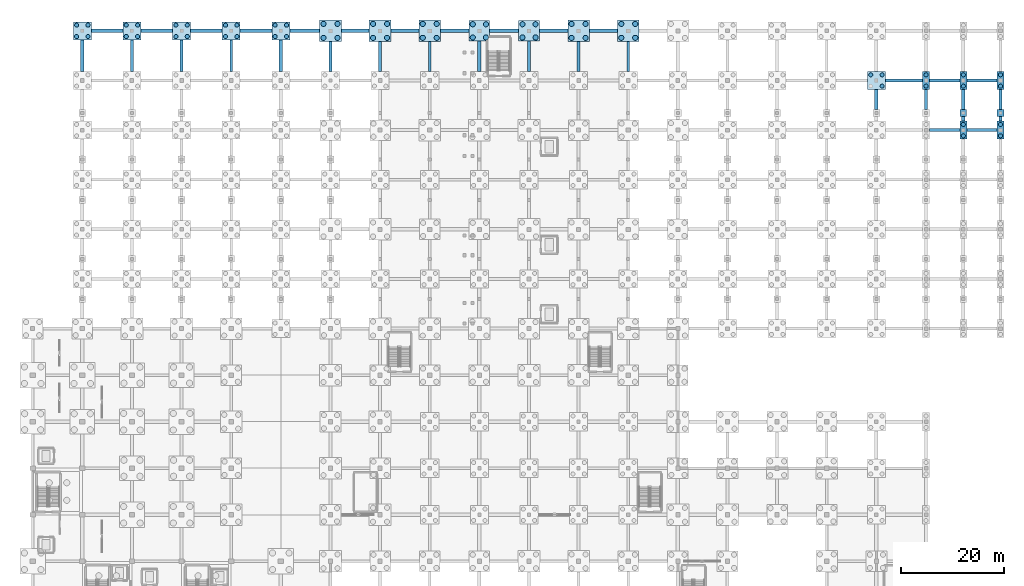
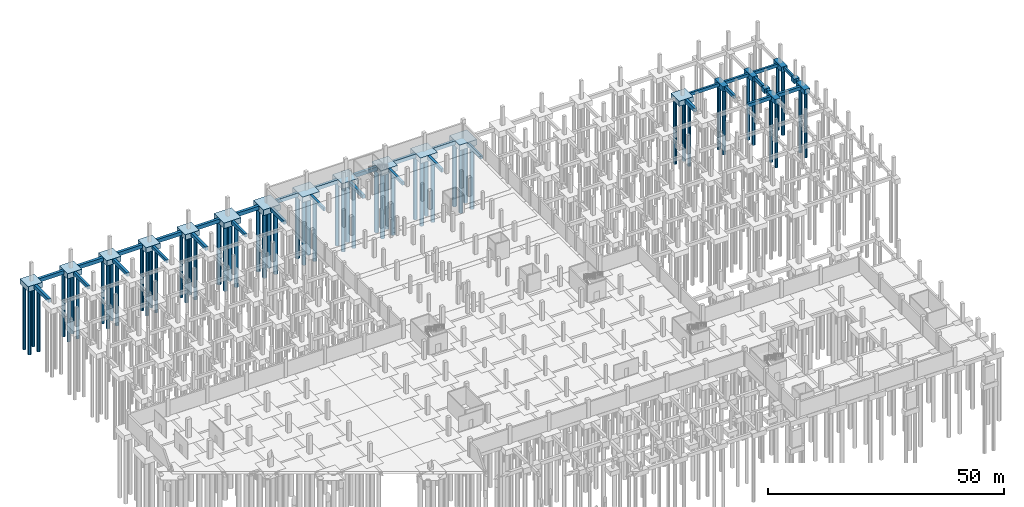
# One storey, part 16 of 39: 61 piles, 54 footings.
"""IFC4 building model written with IfcOpenShell, lengths in metres."""

from ifc_helpers import new_model, si_unit, direction, frame, origin, origin_2d, place, context, subcontext, project, spatial, polyline, rectangle, circle, outline, extrude, material, material_profile, profile_set, type_object, element, save


model = new_model("IFC4")

# Units and contexts
model_context = context("Model", 3, precision=1e-05, world=origin(), true_north=direction((0.0, 1.0)))
body_context = subcontext(model_context, "Body", "Model", "MODEL_VIEW")
ifc_project = project(units=[si_unit("LENGTHUNIT", "METRE"), si_unit("AREAUNIT", "SQUARE_METRE"), si_unit("VOLUMEUNIT", "CUBIC_METRE"), si_unit("PLANEANGLEUNIT", "RADIAN"), si_unit("MASSUNIT", "GRAM", prefix="KILO")], contexts=[model_context])

# Site, building, storey
site_placement = place(None, origin())
site = spatial("IfcSite", under=ifc_project, at=site_placement, CompositionType="ELEMENT")
building_placement = place(site_placement, origin())
building = spatial("IfcBuilding", under=site, at=building_placement, Name="Zarnetskaya Central Station", CompositionType="ELEMENT")
storey_placement = place(building_placement, frame((0.0, 0.0, -4.800048828125)))
storey = spatial("IfcBuildingStorey", under=building, at=storey_placement, Name="B1", CompositionType="ELEMENT", Elevation=-4.800048828125)

# Footings
ifc_material_1 = material(Name="Concrete C30/37", Category="concrete")
footing_type_1 = type_object("IfcFootingType", Name="FB-500x800", PredefinedType="FOOTING_BEAM", material=ifc_material_1)
footing_1_placement = place(storey_placement, frame((0.0, 0.0, -0.800048828125)))
element("IfcFooting", 1, at=footing_1_placement, inside=storey, type_object=footing_type_1, Name="Footing tie beam 14 T-U", PredefinedType="FOOTING_BEAM", context=body_context, shape_type="SweptSolid", body=[
    extrude(outline(polyline([(164.949951171875, 114.949951171875), (172.125, 114.949951171875), (172.125, 115.449951171875), (164.949951171875, 115.449951171875), (164.949951171875, 114.949951171875)])), origin(), (0.0, 0.0, 1.0), 0.800048828125),
])
footing_2_placement = place(storey_placement, frame((0.0, 0.0, -0.800048828125)))
element("IfcFooting", 2, at=footing_2_placement, inside=storey, type_object=footing_type_1, Name="Footing tie beam 14 U-V", PredefinedType="FOOTING_BEAM", context=body_context, shape_type="SweptSolid", body=[
    extrude(outline(polyline([(173.47509765625, 114.949951171875), (179.324951171875, 114.949951171875), (179.324951171875, 115.449951171875), (173.47509765625, 115.449951171875), (173.47509765625, 114.949951171875)])), origin(), (0.0, 0.0, 1.0), 0.800048828125),
])
footing_3_placement = place(storey_placement, frame((0.0, 0.0, -0.800048828125)))
element("IfcFooting", 3, at=footing_3_placement, inside=storey, type_object=footing_type_1, Name="Footing tie beam 14 V-W", PredefinedType="FOOTING_BEAM", context=body_context, shape_type="SweptSolid", body=[
    extrude(outline(polyline([(180.675048828125, 114.949951171875), (186.52490234375, 114.949951171875), (186.52490234375, 115.449951171875), (180.675048828125, 115.449951171875), (180.675048828125, 114.949951171875)])), origin(), (0.0, 0.0, 1.0), 0.800048828125),
])
footing_4_placement = place(storey_placement, frame((0.0, 0.0, -0.800048828125)))
element("IfcFooting", 4, at=footing_4_placement, inside=storey, type_object=footing_type_1, Name="Footing tie beam E 14-15", PredefinedType="FOOTING_BEAM", context=body_context, shape_type="SweptSolid", body=[
    extrude(outline(polyline([(38.14990234375, 116.949951171875), (38.64990234375, 116.949951171875), (38.64990234375, 123.050048828125), (38.14990234375, 123.050048828125), (38.14990234375, 116.949951171875)])), origin(), (0.0, 0.0, 1.0), 0.800048828125),
])
footing_5_placement = place(storey_placement, frame((0.0, 0.0, -0.800048828125)))
element("IfcFooting", 5, at=footing_5_placement, inside=storey, type_object=footing_type_1, Name="Footing tie beam J 14-15", PredefinedType="FOOTING_BEAM", context=body_context, shape_type="SweptSolid", body=[
    extrude(outline(polyline([(76.550048828125, 116.949951171875), (77.050048828125, 116.949951171875), (77.050048828125, 122.699951171875), (76.550048828125, 122.699951171875), (76.550048828125, 116.949951171875)])), origin(), (0.0, 0.0, 1.0), 0.800048828125),
])
footing_6_placement = place(storey_placement, frame((0.0, 0.0, -0.800048828125)))
element("IfcFooting", 6, at=footing_6_placement, inside=storey, type_object=footing_type_1, Name="Footing tie beam N 14-15", PredefinedType="FOOTING_BEAM", context=body_context, shape_type="SweptSolid", body=[
    extrude(outline(polyline([(114.949951171875, 116.949951171875), (115.449951171875, 116.949951171875), (115.449951171875, 122.699951171875), (114.949951171875, 122.699951171875), (114.949951171875, 116.949951171875)])), origin(), (0.0, 0.0, 1.0), 0.800048828125),
])
footing_7_placement = place(storey_placement, frame((0.0, 0.0, -0.800048828125)))
element("IfcFooting", 7, at=footing_7_placement, inside=storey, type_object=footing_type_1, Name="Footing tie beam W 13-14 part 1", PredefinedType="FOOTING_BEAM", context=body_context, shape_type="SweptSolid", body=[
    extrude(outline(polyline([(186.949951171875, 107.35009765625), (187.449951171875, 107.35009765625), (187.449951171875, 108.25), (186.949951171875, 108.25), (186.949951171875, 107.35009765625)])), origin(), (0.0, 0.0, 1.0), 0.800048828125),
])
footing_8_placement = place(storey_placement, frame((0.0, 0.0, -0.800048828125)))
element("IfcFooting", 8, at=footing_8_placement, inside=storey, type_object=footing_type_1, Name="Footing tie beam W 13-14 part 2", PredefinedType="FOOTING_BEAM", context=body_context, shape_type="SweptSolid", body=[
    extrude(outline(polyline([(186.949951171875, 109.550048828125), (187.449951171875, 109.550048828125), (187.449951171875, 113.449951171875), (186.949951171875, 113.449951171875), (186.949951171875, 109.550048828125)])), origin(), (0.0, 0.0, 1.0), 0.800048828125),
])
footing_type_2 = type_object("IfcFootingType", Name="FB-550x850", PredefinedType="FOOTING_BEAM", material=ifc_material_1)
footing_9_placement = place(storey_placement, frame((0.0, 0.0, -0.849853515625)))
element("IfcFooting", 9, at=footing_9_placement, inside=storey, type_object=footing_type_2, Name="Footing tie beam C 14-15", PredefinedType="FOOTING_BEAM", context=body_context, shape_type="SweptSolid", body=[
    extrude(outline(polyline([(18.925048828125, 116.949951171875), (19.47509765625, 116.949951171875), (19.47509765625, 123.050048828125), (18.925048828125, 123.050048828125), (18.925048828125, 116.949951171875)])), origin(), (0.0, 0.0, 1.0), 0.849853515625),
])
footing_10_placement = place(storey_placement, frame((0.0, 0.0, -0.849853515625)))
element("IfcFooting", 10, at=footing_10_placement, inside=storey, type_object=footing_type_2, Name="Footing tie beam G 14-15", PredefinedType="FOOTING_BEAM", context=body_context, shape_type="SweptSolid", body=[
    extrude(outline(polyline([(57.324951171875, 116.949951171875), (57.875, 116.949951171875), (57.875, 122.699951171875), (57.324951171875, 122.699951171875), (57.324951171875, 116.949951171875)])), origin(), (0.0, 0.0, 1.0), 0.849853515625),
])
footing_11_placement = place(storey_placement, frame((0.0, 0.0, -0.849853515625)))
element("IfcFooting", 11, at=footing_11_placement, inside=storey, type_object=footing_type_2, Name="Footing tie beam L 14-15", PredefinedType="FOOTING_BEAM", context=body_context, shape_type="SweptSolid", body=[
    extrude(outline(polyline([(95.72509765625, 116.949951171875), (96.27490234375, 116.949951171875), (96.27490234375, 122.800048828125), (95.72509765625, 122.800048828125), (95.72509765625, 116.949951171875)])), origin(), (0.0, 0.0, 1.0), 0.849853515625),
])
footing_12_placement = place(storey_placement, frame((0.0, 0.0, -0.849853515625)))
element("IfcFooting", 12, at=footing_12_placement, inside=storey, type_object=footing_type_2, Name="Footing tie beam U 13-14 part 2", PredefinedType="FOOTING_BEAM", context=body_context, shape_type="SweptSolid", body=[
    extrude(outline(polyline([(172.52490234375, 109.550048828125), (173.074951171875, 109.550048828125), (173.074951171875, 113.449951171875), (172.52490234375, 113.449951171875), (172.52490234375, 109.550048828125)])), origin(), (0.0, 0.0, 1.0), 0.849853515625),
])
footing_type_3 = type_object("IfcFootingType", Name="FB-600x900", PredefinedType="FOOTING_BEAM", material=ifc_material_1)
footing_13_placement = place(storey_placement, frame((0.0, 0.0, -0.89990234375)))
element("IfcFooting", 13, at=footing_13_placement, inside=storey, type_object=footing_type_3, Name="Footing tie beam 13 U-V", PredefinedType="FOOTING_BEAM", context=body_context, shape_type="SweptSolid", body=[
    extrude(outline(polyline([(173.47509765625, 105.300048828125), (179.324951171875, 105.300048828125), (179.324951171875, 105.89990234375), (173.47509765625, 105.89990234375), (173.47509765625, 105.300048828125)])), origin(), (0.0, 0.0, 1.0), 0.89990234375),
])
footing_14_placement = place(storey_placement, frame((0.0, 0.0, -0.89990234375)))
element("IfcFooting", 14, at=footing_14_placement, inside=storey, type_object=footing_type_3, Name="Footing tie beam 13 V-W", PredefinedType="FOOTING_BEAM", context=body_context, shape_type="SweptSolid", body=[
    extrude(outline(polyline([(180.675048828125, 105.300048828125), (186.52490234375, 105.300048828125), (186.52490234375, 105.89990234375), (180.675048828125, 105.89990234375), (180.675048828125, 105.300048828125)])), origin(), (0.0, 0.0, 1.0), 0.89990234375),
])
footing_15_placement = place(storey_placement, frame((0.0, 0.0, -0.89990234375)))
element("IfcFooting", 15, at=footing_15_placement, inside=storey, type_object=footing_type_3, Name="Footing tie beam D 14-15", PredefinedType="FOOTING_BEAM", context=body_context, shape_type="SweptSolid", body=[
    extrude(outline(polyline([(28.5, 116.949951171875), (29.10009765625, 116.949951171875), (29.10009765625, 123.050048828125), (28.5, 123.050048828125), (28.5, 116.949951171875)])), origin(), (0.0, 0.0, 1.0), 0.89990234375),
])
footing_16_placement = place(storey_placement, frame((0.0, 0.0, -0.89990234375)))
element("IfcFooting", 16, at=footing_16_placement, inside=storey, type_object=footing_type_3, Name="Footing tie beam H 14-15", PredefinedType="FOOTING_BEAM", context=body_context, shape_type="SweptSolid", body=[
    extrude(outline(polyline([(66.89990234375, 116.949951171875), (67.5, 116.949951171875), (67.5, 122.699951171875), (66.89990234375, 122.699951171875), (66.89990234375, 116.949951171875)])), origin(), (0.0, 0.0, 1.0), 0.89990234375),
])
footing_17_placement = place(storey_placement, frame((0.0, 0.0, -0.89990234375)))
element("IfcFooting", 17, at=footing_17_placement, inside=storey, type_object=footing_type_3, Name="Footing tie beam M 14-15", PredefinedType="FOOTING_BEAM", context=body_context, shape_type="SweptSolid", body=[
    extrude(outline(polyline([(105.300048828125, 116.949951171875), (105.89990234375, 116.949951171875), (105.89990234375, 122.699951171875), (105.300048828125, 122.699951171875), (105.300048828125, 116.949951171875)])), origin(), (0.0, 0.0, 1.0), 0.89990234375),
])
footing_18_placement = place(storey_placement, frame((0.0, 0.0, -0.89990234375)))
element("IfcFooting", 18, at=footing_18_placement, inside=storey, type_object=footing_type_3, Name="Footing tie beam V 13-14 part 1", PredefinedType="FOOTING_BEAM", context=body_context, shape_type="SweptSolid", body=[
    extrude(outline(polyline([(179.699951171875, 107.35009765625), (180.300048828125, 107.35009765625), (180.300048828125, 108.25), (179.699951171875, 108.25), (179.699951171875, 107.35009765625)])), origin(), (0.0, 0.0, 1.0), 0.89990234375),
])
footing_19_placement = place(storey_placement, frame((0.0, 0.0, -0.89990234375)))
element("IfcFooting", 19, at=footing_19_placement, inside=storey, type_object=footing_type_3, Name="Footing tie beam V 13-14 part 2", PredefinedType="FOOTING_BEAM", context=body_context, shape_type="SweptSolid", body=[
    extrude(outline(polyline([(179.699951171875, 109.550048828125), (180.300048828125, 109.550048828125), (180.300048828125, 113.449951171875), (179.699951171875, 113.449951171875), (179.699951171875, 109.550048828125)])), origin(), (0.0, 0.0, 1.0), 0.89990234375),
])
footing_type_4 = type_object("IfcFootingType", Name="FB-650x950", PredefinedType="FOOTING_BEAM", material=ifc_material_1)
footing_20_placement = place(storey_placement, frame((0.0, 0.0, -0.949951171875)))
element("IfcFooting", 20, at=footing_20_placement, inside=storey, type_object=footing_type_4, Name="Footing tie beam 15 B-C", PredefinedType="FOOTING_BEAM", context=body_context, shape_type="SweptSolid", body=[
    extrude(outline(polyline([(11.35009765625, 124.47509765625), (17.449951171875, 124.47509765625), (17.449951171875, 125.125), (11.35009765625, 125.125), (11.35009765625, 124.47509765625)])), origin(), (0.0, 0.0, 1.0), 0.949951171875),
])
footing_21_placement = place(storey_placement, frame((0.0, 0.0, -0.949951171875)))
element("IfcFooting", 21, at=footing_21_placement, inside=storey, type_object=footing_type_4, Name="Footing tie beam 15 C-D", PredefinedType="FOOTING_BEAM", context=body_context, shape_type="SweptSolid", body=[
    extrude(outline(polyline([(20.949951171875, 124.47509765625), (27.050048828125, 124.47509765625), (27.050048828125, 125.125), (20.949951171875, 125.125), (20.949951171875, 124.47509765625)])), origin(), (0.0, 0.0, 1.0), 0.949951171875),
])
footing_22_placement = place(storey_placement, frame((0.0, 0.0, -0.949951171875)))
element("IfcFooting", 22, at=footing_22_placement, inside=storey, type_object=footing_type_4, Name="Footing tie beam 15 D-E", PredefinedType="FOOTING_BEAM", context=body_context, shape_type="SweptSolid", body=[
    extrude(outline(polyline([(30.550048828125, 124.47509765625), (36.64990234375, 124.47509765625), (36.64990234375, 125.125), (30.550048828125, 125.125), (30.550048828125, 124.47509765625)])), origin(), (0.0, 0.0, 1.0), 0.949951171875),
])
footing_23_placement = place(storey_placement, frame((0.0, 0.0, -0.949951171875)))
element("IfcFooting", 23, at=footing_23_placement, inside=storey, type_object=footing_type_4, Name="Footing tie beam 15 E-F", PredefinedType="FOOTING_BEAM", context=body_context, shape_type="SweptSolid", body=[
    extrude(outline(polyline([(40.14990234375, 124.47509765625), (46.25, 124.47509765625), (46.25, 125.125), (40.14990234375, 125.125), (40.14990234375, 124.47509765625)])), origin(), (0.0, 0.0, 1.0), 0.949951171875),
])
footing_24_placement = place(storey_placement, frame((0.0, 0.0, -0.949951171875)))
element("IfcFooting", 24, at=footing_24_placement, inside=storey, type_object=footing_type_4, Name="Footing tie beam 15 F-G", PredefinedType="FOOTING_BEAM", context=body_context, shape_type="SweptSolid", body=[
    extrude(outline(polyline([(49.75, 124.47509765625), (55.5, 124.47509765625), (55.5, 125.125), (49.75, 125.125), (49.75, 124.47509765625)])), origin(), (0.0, 0.0, 1.0), 0.949951171875),
])
footing_25_placement = place(storey_placement, frame((0.0, 0.0, -0.949951171875)))
element("IfcFooting", 25, at=footing_25_placement, inside=storey, type_object=footing_type_4, Name="Footing tie beam 15 G-H", PredefinedType="FOOTING_BEAM", context=body_context, shape_type="SweptSolid", body=[
    extrude(outline(polyline([(59.699951171875, 124.47509765625), (65.10009765625, 124.47509765625), (65.10009765625, 125.125), (59.699951171875, 125.125), (59.699951171875, 124.47509765625)])), origin(), (0.0, 0.0, 1.0), 0.949951171875),
])
footing_26_placement = place(storey_placement, frame((0.0, 0.0, -0.949951171875)))
element("IfcFooting", 26, at=footing_26_placement, inside=storey, type_object=footing_type_4, Name="Footing tie beam 15 H-J", PredefinedType="FOOTING_BEAM", context=body_context, shape_type="SweptSolid", body=[
    extrude(outline(polyline([(69.300048828125, 124.47509765625), (74.699951171875, 124.47509765625), (74.699951171875, 125.125), (69.300048828125, 125.125), (69.300048828125, 124.47509765625)])), origin(), (0.0, 0.0, 1.0), 0.949951171875),
])
footing_27_placement = place(storey_placement, frame((0.0, 0.0, -0.949951171875)))
element("IfcFooting", 27, at=footing_27_placement, inside=storey, type_object=footing_type_4, Name="Footing tie beam 15 J-K", PredefinedType="FOOTING_BEAM", context=body_context, shape_type="SweptSolid", body=[
    extrude(outline(polyline([(78.89990234375, 124.47509765625), (84.39990234375, 124.47509765625), (84.39990234375, 125.125), (78.89990234375, 125.125), (78.89990234375, 124.47509765625)])), origin(), (0.0, 0.0, 1.0), 0.949951171875),
])
footing_28_placement = place(storey_placement, frame((0.0, 0.0, -0.949951171875)))
element("IfcFooting", 28, at=footing_28_placement, inside=storey, type_object=footing_type_4, Name="Footing tie beam 15 K-L", PredefinedType="FOOTING_BEAM", context=body_context, shape_type="SweptSolid", body=[
    extrude(outline(polyline([(88.39990234375, 124.47509765625), (94.0, 124.47509765625), (94.0, 125.125), (88.39990234375, 125.125), (88.39990234375, 124.47509765625)])), origin(), (0.0, 0.0, 1.0), 0.949951171875),
])
footing_29_placement = place(storey_placement, frame((0.0, 0.0, -0.949951171875)))
element("IfcFooting", 29, at=footing_29_placement, inside=storey, type_object=footing_type_4, Name="Footing tie beam 15 L-M", PredefinedType="FOOTING_BEAM", context=body_context, shape_type="SweptSolid", body=[
    extrude(outline(polyline([(98.0, 124.47509765625), (103.5, 124.47509765625), (103.5, 125.125), (98.0, 125.125), (98.0, 124.47509765625)])), origin(), (0.0, 0.0, 1.0), 0.949951171875),
])
footing_30_placement = place(storey_placement, frame((0.0, 0.0, -0.949951171875)))
element("IfcFooting", 30, at=footing_30_placement, inside=storey, type_object=footing_type_4, Name="Footing tie beam 15 M-N", PredefinedType="FOOTING_BEAM", context=body_context, shape_type="SweptSolid", body=[
    extrude(outline(polyline([(107.699951171875, 124.47509765625), (113.10009765625, 124.47509765625), (113.10009765625, 125.125), (107.699951171875, 125.125), (107.699951171875, 124.47509765625)])), origin(), (0.0, 0.0, 1.0), 0.949951171875),
])
footing_31_placement = place(storey_placement, frame((0.0, 0.0, -0.949951171875)))
element("IfcFooting", 31, at=footing_31_placement, inside=storey, type_object=footing_type_4, Name="Footing tie beam B 14-15", PredefinedType="FOOTING_BEAM", context=body_context, shape_type="SweptSolid", body=[
    extrude(outline(polyline([(9.27490234375, 116.949951171875), (9.925048828125, 116.949951171875), (9.925048828125, 123.050048828125), (9.27490234375, 123.050048828125), (9.27490234375, 116.949951171875)])), origin(), (0.0, 0.0, 1.0), 0.949951171875),
])
footing_32_placement = place(storey_placement, frame((0.0, 0.0, -0.949951171875)))
element("IfcFooting", 32, at=footing_32_placement, inside=storey, type_object=footing_type_4, Name="Footing tie beam F 14-15", PredefinedType="FOOTING_BEAM", context=body_context, shape_type="SweptSolid", body=[
    extrude(outline(polyline([(47.675048828125, 116.949951171875), (48.324951171875, 116.949951171875), (48.324951171875, 123.050048828125), (47.675048828125, 123.050048828125), (47.675048828125, 116.949951171875)])), origin(), (0.0, 0.0, 1.0), 0.949951171875),
])
footing_33_placement = place(storey_placement, frame((0.0, 0.0, -0.949951171875)))
element("IfcFooting", 33, at=footing_33_placement, inside=storey, type_object=footing_type_4, Name="Footing tie beam K 14-15", PredefinedType="FOOTING_BEAM", context=body_context, shape_type="SweptSolid", body=[
    extrude(outline(polyline([(86.074951171875, 116.949951171875), (86.72509765625, 116.949951171875), (86.72509765625, 122.800048828125), (86.074951171875, 122.800048828125), (86.074951171875, 116.949951171875)])), origin(), (0.0, 0.0, 1.0), 0.949951171875),
])
footing_34_placement = place(storey_placement, frame((0.0, 0.0, -0.949951171875)))
element("IfcFooting", 34, at=footing_34_placement, inside=storey, type_object=footing_type_4, Name="Footing tie beam T 13-14 part 2", PredefinedType="FOOTING_BEAM", context=body_context, shape_type="SweptSolid", body=[
    extrude(outline(polyline([(162.875, 109.550048828125), (163.52490234375, 109.550048828125), (163.52490234375, 113.449951171875), (162.875, 113.449951171875), (162.875, 109.550048828125)])), origin(), (0.0, 0.0, 1.0), 0.949951171875),
])
ifc_material_2 = material(Name="Concrete C35/45", Category="concrete")
footing_type_5 = type_object("IfcFootingType", Name="PAD-PIER-130", PredefinedType="PAD_FOOTING", material=ifc_material_2)
for number, where, z_axis, x_axis, name in (
    (35, (180.0, 108.89990234375, -1.14990234375), (0.0, 0.0, 1.0), (1.0, 0.0, 0.0), "Platform pier pad P3-VN"),
    (36, (187.199951171875, 108.89990234375, -1.14990234375), (0.0, 0.0, 1.0), (1.0, 0.0, 0.0), "Platform pier pad P3-WN"),
):
    element("IfcFooting", number, at=place(storey_placement, frame(where, z_axis=z_axis, x_axis=x_axis)), inside=storey, type_object=footing_type_5, Name=name, PredefinedType="PAD_FOOTING", context=body_context, shape_type="SweptSolid", body=[
        extrude(rectangle(XDim=1.300048828125, YDim=1.300048828125, at=origin_2d()), origin(), (0.0, 0.0, 1.0), 1.14990234375),
    ])
footing_type_6 = type_object("IfcFootingType", Name="PC-2P-800Y", PredefinedType="PILE_CAP", material=ifc_material_2)
for number, where, z_axis, x_axis, name in (
    (37, (172.800048828125, 115.199951171875, -1.2998046875), (0.0, 0.0, 1.0), (1.0, 0.0, 0.0), "Pile cap U14"),
    (38, (180.0, 105.60009765625, -1.2998046875), (0.0, 0.0, 1.0), (1.0, 0.0, 0.0), "Pile cap V13"),
    (39, (180.0, 115.199951171875, -1.2998046875), (0.0, 0.0, 1.0), (1.0, 0.0, 0.0), "Pile cap V14"),
    (40, (187.199951171875, 105.60009765625, -1.2998046875), (0.0, 0.0, 1.0), (1.0, 0.0, 0.0), "Pile cap W13"),
    (41, (187.199951171875, 115.199951171875, -1.2998046875), (0.0, 0.0, 1.0), (1.0, 0.0, 0.0), "Pile cap W14"),
):
    element("IfcFooting", number, at=place(storey_placement, frame(where, z_axis=z_axis, x_axis=x_axis)), inside=storey, type_object=footing_type_6, Name=name, PredefinedType="PILE_CAP", context=body_context, shape_type="SweptSolid", body=[
        extrude(rectangle(XDim=1.35009765625, YDim=3.5, at=origin_2d()), origin(), (0.0, 0.0, 1.0), 1.300048828125),
    ])
footing_type_7 = type_object("IfcFootingType", Name="PC-4P-1000A", PredefinedType="PILE_CAP", material=ifc_material_2)
for number, where, z_axis, x_axis, name in (
    (42, (57.60009765625, 124.800048828125, -1.44970703125), (0.0, 0.0, 1.0), (1.0, 0.0, 0.0), "Pile cap G15"),
    (43, (67.199951171875, 124.800048828125, -1.44970703125), (0.0, 0.0, 1.0), (1.0, 0.0, 0.0), "Pile cap H15"),
    (44, (76.800048828125, 124.800048828125, -1.44970703125), (0.0, 0.0, 1.0), (1.0, 0.0, 0.0), "Pile cap J15"),
    (45, (105.60009765625, 124.800048828125, -1.44970703125), (0.0, 0.0, 1.0), (1.0, 0.0, 0.0), "Pile cap M15"),
    (46, (115.199951171875, 124.800048828125, -1.44970703125), (0.0, 0.0, 1.0), (1.0, 0.0, 0.0), "Pile cap N15"),
):
    element("IfcFooting", number, at=place(storey_placement, frame(where, z_axis=z_axis, x_axis=x_axis)), inside=storey, type_object=footing_type_7, Name=name, PredefinedType="PILE_CAP", context=body_context, shape_type="SweptSolid", body=[
        extrude(rectangle(XDim=4.199951171875, YDim=4.199951171875, at=origin_2d()), origin(), (0.0, 0.0, 1.0), 1.449951171875),
    ])
footing_type_8 = type_object("IfcFootingType", Name="PC-4P-1000B", PredefinedType="PILE_CAP", material=ifc_material_2)
for number, where, z_axis, x_axis, name in (
    (47, (86.39990234375, 124.800048828125, -1.39990234375), (0.0, 0.0, 1.0), (1.0, 0.0, 0.0), "Pile cap K15"),
    (48, (96.0, 124.800048828125, -1.39990234375), (0.0, 0.0, 1.0), (1.0, 0.0, 0.0), "Pile cap L15"),
):
    element("IfcFooting", number, at=place(storey_placement, frame(where, z_axis=z_axis, x_axis=x_axis)), inside=storey, type_object=footing_type_8, Name=name, PredefinedType="PILE_CAP", context=body_context, shape_type="SweptSolid", body=[
        extrude(rectangle(XDim=4.0, YDim=4.0, at=origin_2d()), origin(), (0.0, 0.0, 1.0), 1.39990234375),
    ])
footing_type_9 = type_object("IfcFootingType", Name="PC-4P-800A", PredefinedType="PILE_CAP", material=ifc_material_2)
for number, where, z_axis, x_axis, name in (
    (49, (9.60009765625, 124.800048828125, -1.35009765625), (0.0, 0.0, 1.0), (1.0, 0.0, 0.0), "Pile cap B15"),
    (50, (19.199951171875, 124.800048828125, -1.35009765625), (0.0, 0.0, 1.0), (1.0, 0.0, 0.0), "Pile cap C15"),
    (51, (28.800048828125, 124.800048828125, -1.35009765625), (0.0, 0.0, 1.0), (1.0, 0.0, 0.0), "Pile cap D15"),
    (52, (38.39990234375, 124.800048828125, -1.35009765625), (0.0, 0.0, 1.0), (1.0, 0.0, 0.0), "Pile cap E15"),
    (53, (48.0, 124.800048828125, -1.35009765625), (0.0, 0.0, 1.0), (1.0, 0.0, 0.0), "Pile cap F15"),
    (54, (163.199951171875, 115.199951171875, -1.35009765625), (0.0, 0.0, 1.0), (1.0, 0.0, 0.0), "Pile cap T14"),
):
    element("IfcFooting", number, at=place(storey_placement, frame(where, z_axis=z_axis, x_axis=x_axis)), inside=storey, type_object=footing_type_9, Name=name, PredefinedType="PILE_CAP", context=body_context, shape_type="SweptSolid", body=[
        extrude(rectangle(XDim=3.5, YDim=3.5, at=origin_2d()), origin(), (0.0, 0.0, 1.0), 1.35009765625),
    ])

# Piles
ifc_material_profile_1 = material_profile(ifc_material_2, circle(Radius=0.5, at=origin_2d()), Name="BORED PILE D1000")
ifc_profile_set_1 = profile_set([ifc_material_profile_1], Name="Concrete C35/45")
pile_type_1 = type_object("IfcPileType", Name="PILE-D1000", PredefinedType="BORED", material=ifc_profile_set_1)
for number, where, z_axis, x_axis, name in (
    (55, (56.25, 123.449951171875, -1.300048828125), (0.0, 0.0, -1.0), (1.0, 0.0, 0.0), "Bored pile G15-11"),
    (56, (56.25, 126.14990234375, -1.300048828125), (0.0, 0.0, -1.0), (1.0, 0.0, 0.0), "Bored pile G15-12"),
    (57, (58.949951171875, 123.449951171875, -1.300048828125), (0.0, 0.0, -1.0), (1.0, 0.0, 0.0), "Bored pile G15-21"),
    (58, (58.949951171875, 126.14990234375, -1.300048828125), (0.0, 0.0, -1.0), (1.0, 0.0, 0.0), "Bored pile G15-22"),
    (59, (65.85009765625, 123.449951171875, -1.300048828125), (0.0, 0.0, -1.0), (1.0, 0.0, 0.0), "Bored pile H15-11"),
    (60, (65.85009765625, 126.14990234375, -1.300048828125), (0.0, 0.0, -1.0), (1.0, 0.0, 0.0), "Bored pile H15-12"),
    (61, (68.550048828125, 123.449951171875, -1.300048828125), (0.0, 0.0, -1.0), (1.0, 0.0, 0.0), "Bored pile H15-21"),
    (62, (68.550048828125, 126.14990234375, -1.300048828125), (0.0, 0.0, -1.0), (1.0, 0.0, 0.0), "Bored pile H15-22"),
    (63, (75.449951171875, 123.449951171875, -1.300048828125), (0.0, 0.0, -1.0), (1.0, 0.0, 0.0), "Bored pile J15-11"),
    (64, (75.449951171875, 126.14990234375, -1.300048828125), (0.0, 0.0, -1.0), (1.0, 0.0, 0.0), "Bored pile J15-12"),
    (65, (78.14990234375, 123.449951171875, -1.300048828125), (0.0, 0.0, -1.0), (1.0, 0.0, 0.0), "Bored pile J15-21"),
    (66, (78.14990234375, 126.14990234375, -1.300048828125), (0.0, 0.0, -1.0), (1.0, 0.0, 0.0), "Bored pile J15-22"),
):
    element("IfcPile", number, at=place(storey_placement, frame(where, z_axis=z_axis, x_axis=x_axis)), inside=storey, type_object=pile_type_1, Name=name, PredefinedType="BORED", context=body_context, shape_type="SweptSolid", body=[
        extrude(circle(Radius=0.5, at=origin_2d()), origin(), (0.0, 0.0, 1.0), 16.699951171875),
    ])
for number, where, z_axis, x_axis, name in (
    (67, (85.125, 123.52490234375, -1.25), (0.0, 0.0, -1.0), (1.0, 0.0, 0.0), "Bored pile K15-11"),
    (68, (85.125, 126.074951171875, -1.25), (0.0, 0.0, -1.0), (1.0, 0.0, 0.0), "Bored pile K15-12"),
    (69, (87.675048828125, 123.52490234375, -1.25), (0.0, 0.0, -1.0), (1.0, 0.0, 0.0), "Bored pile K15-21"),
    (70, (87.675048828125, 126.074951171875, -1.25), (0.0, 0.0, -1.0), (1.0, 0.0, 0.0), "Bored pile K15-22"),
    (71, (94.72509765625, 123.52490234375, -1.25), (0.0, 0.0, -1.0), (1.0, 0.0, 0.0), "Bored pile L15-11"),
    (72, (94.72509765625, 126.074951171875, -1.25), (0.0, 0.0, -1.0), (1.0, 0.0, 0.0), "Bored pile L15-12"),
    (73, (97.27490234375, 123.52490234375, -1.25), (0.0, 0.0, -1.0), (1.0, 0.0, 0.0), "Bored pile L15-21"),
    (74, (97.27490234375, 126.074951171875, -1.25), (0.0, 0.0, -1.0), (1.0, 0.0, 0.0), "Bored pile L15-22"),
):
    element("IfcPile", number, at=place(storey_placement, frame(where, z_axis=z_axis, x_axis=x_axis)), inside=storey, type_object=pile_type_1, Name=name, PredefinedType="BORED", context=body_context, shape_type="SweptSolid", body=[
        extrude(circle(Radius=0.5, at=origin_2d()), origin(), (0.0, 0.0, 1.0), 16.75),
    ])
for number, where, z_axis, x_axis, name in (
    (75, (104.25, 123.449951171875, -1.300048828125), (0.0, 0.0, -1.0), (1.0, 0.0, 0.0), "Bored pile M15-11"),
    (76, (104.25, 126.14990234375, -1.300048828125), (0.0, 0.0, -1.0), (1.0, 0.0, 0.0), "Bored pile M15-12"),
    (77, (106.949951171875, 123.449951171875, -1.300048828125), (0.0, 0.0, -1.0), (1.0, 0.0, 0.0), "Bored pile M15-21"),
    (78, (106.949951171875, 126.14990234375, -1.300048828125), (0.0, 0.0, -1.0), (1.0, 0.0, 0.0), "Bored pile M15-22"),
    (79, (113.85009765625, 123.449951171875, -1.300048828125), (0.0, 0.0, -1.0), (1.0, 0.0, 0.0), "Bored pile N15-11"),
    (80, (113.85009765625, 126.14990234375, -1.300048828125), (0.0, 0.0, -1.0), (1.0, 0.0, 0.0), "Bored pile N15-12"),
    (81, (116.550048828125, 123.449951171875, -1.300048828125), (0.0, 0.0, -1.0), (1.0, 0.0, 0.0), "Bored pile N15-21"),
    (82, (116.550048828125, 126.14990234375, -1.300048828125), (0.0, 0.0, -1.0), (1.0, 0.0, 0.0), "Bored pile N15-22"),
):
    element("IfcPile", number, at=place(storey_placement, frame(where, z_axis=z_axis, x_axis=x_axis)), inside=storey, type_object=pile_type_1, Name=name, PredefinedType="BORED", context=body_context, shape_type="SweptSolid", body=[
        extrude(circle(Radius=0.5, at=origin_2d()), origin(), (0.0, 0.0, 1.0), 16.699951171875),
    ])
ifc_material_profile_2 = material_profile(ifc_material_2, circle(Radius=0.39990234375, at=origin_2d()), Name="BORED PILE D800")
ifc_profile_set_2 = profile_set([ifc_material_profile_2], Name="Concrete C35/45")
pile_type_2 = type_object("IfcPileType", Name="PILE-D800", PredefinedType="BORED", material=ifc_profile_set_2)
for number, where, z_axis, x_axis, name in (
    (83, (8.5, 123.699951171875, -1.199951171875), (0.0, 0.0, -1.0), (1.0, 0.0, 0.0), "Bored pile B15-11"),
    (84, (8.5, 125.89990234375, -1.199951171875), (0.0, 0.0, -1.0), (1.0, 0.0, 0.0), "Bored pile B15-12"),
    (85, (10.699951171875, 123.699951171875, -1.199951171875), (0.0, 0.0, -1.0), (1.0, 0.0, 0.0), "Bored pile B15-21"),
    (86, (10.699951171875, 125.89990234375, -1.199951171875), (0.0, 0.0, -1.0), (1.0, 0.0, 0.0), "Bored pile B15-22"),
    (87, (18.10009765625, 123.699951171875, -1.199951171875), (0.0, 0.0, -1.0), (1.0, 0.0, 0.0), "Bored pile C15-11"),
    (88, (18.10009765625, 125.89990234375, -1.199951171875), (0.0, 0.0, -1.0), (1.0, 0.0, 0.0), "Bored pile C15-12"),
    (89, (20.300048828125, 123.699951171875, -1.199951171875), (0.0, 0.0, -1.0), (1.0, 0.0, 0.0), "Bored pile C15-21"),
    (90, (20.300048828125, 125.89990234375, -1.199951171875), (0.0, 0.0, -1.0), (1.0, 0.0, 0.0), "Bored pile C15-22"),
    (91, (27.699951171875, 123.699951171875, -1.199951171875), (0.0, 0.0, -1.0), (1.0, 0.0, 0.0), "Bored pile D15-11"),
    (92, (27.699951171875, 125.89990234375, -1.199951171875), (0.0, 0.0, -1.0), (1.0, 0.0, 0.0), "Bored pile D15-12"),
    (93, (29.89990234375, 123.699951171875, -1.199951171875), (0.0, 0.0, -1.0), (1.0, 0.0, 0.0), "Bored pile D15-21"),
    (94, (29.89990234375, 125.89990234375, -1.199951171875), (0.0, 0.0, -1.0), (1.0, 0.0, 0.0), "Bored pile D15-22"),
    (95, (37.300048828125, 123.699951171875, -1.199951171875), (0.0, 0.0, -1.0), (1.0, 0.0, 0.0), "Bored pile E15-11"),
    (96, (37.300048828125, 125.89990234375, -1.199951171875), (0.0, 0.0, -1.0), (1.0, 0.0, 0.0), "Bored pile E15-12"),
    (97, (39.5, 123.699951171875, -1.199951171875), (0.0, 0.0, -1.0), (1.0, 0.0, 0.0), "Bored pile E15-21"),
    (98, (39.5, 125.89990234375, -1.199951171875), (0.0, 0.0, -1.0), (1.0, 0.0, 0.0), "Bored pile E15-22"),
    (99, (46.89990234375, 123.699951171875, -1.199951171875), (0.0, 0.0, -1.0), (1.0, 0.0, 0.0), "Bored pile F15-11"),
    (100, (46.89990234375, 125.89990234375, -1.199951171875), (0.0, 0.0, -1.0), (1.0, 0.0, 0.0), "Bored pile F15-12"),
    (101, (49.10009765625, 123.699951171875, -1.199951171875), (0.0, 0.0, -1.0), (1.0, 0.0, 0.0), "Bored pile F15-21"),
    (102, (49.10009765625, 125.89990234375, -1.199951171875), (0.0, 0.0, -1.0), (1.0, 0.0, 0.0), "Bored pile F15-22"),
    (103, (162.10009765625, 116.300048828125, -1.199951171875), (0.0, 0.0, -1.0), (1.0, 0.0, 0.0), "Bored pile T14-12"),
    (104, (164.300048828125, 114.10009765625, -1.199951171875), (0.0, 0.0, -1.0), (1.0, 0.0, 0.0), "Bored pile T14-21"),
    (105, (164.300048828125, 116.300048828125, -1.199951171875), (0.0, 0.0, -1.0), (1.0, 0.0, 0.0), "Bored pile T14-22"),
):
    element("IfcPile", number, at=place(storey_placement, frame(where, z_axis=z_axis, x_axis=x_axis)), inside=storey, type_object=pile_type_2, Name=name, PredefinedType="BORED", context=body_context, shape_type="SweptSolid", body=[
        extrude(circle(Radius=0.39990234375, at=origin_2d()), origin(), (0.0, 0.0, 1.0), 16.800048828125),
    ])
for number, where, z_axis, x_axis, name in (
    (106, (172.800048828125, 114.10009765625, -1.14990234375), (0.0, 0.0, -1.0), (1.0, 0.0, 0.0), "Bored pile U14-11"),
    (107, (172.800048828125, 116.300048828125, -1.14990234375), (0.0, 0.0, -1.0), (1.0, 0.0, 0.0), "Bored pile U14-12"),
    (108, (180.0, 104.5, -1.14990234375), (0.0, 0.0, -1.0), (1.0, 0.0, 0.0), "Bored pile V13-11"),
    (109, (180.0, 106.699951171875, -1.14990234375), (0.0, 0.0, -1.0), (1.0, 0.0, 0.0), "Bored pile V13-12"),
    (110, (180.0, 114.10009765625, -1.14990234375), (0.0, 0.0, -1.0), (1.0, 0.0, 0.0), "Bored pile V14-11"),
    (111, (180.0, 116.300048828125, -1.14990234375), (0.0, 0.0, -1.0), (1.0, 0.0, 0.0), "Bored pile V14-12"),
    (112, (187.199951171875, 104.5, -1.14990234375), (0.0, 0.0, -1.0), (1.0, 0.0, 0.0), "Bored pile W13-11"),
    (113, (187.199951171875, 106.699951171875, -1.14990234375), (0.0, 0.0, -1.0), (1.0, 0.0, 0.0), "Bored pile W13-12"),
    (114, (187.199951171875, 114.10009765625, -1.14990234375), (0.0, 0.0, -1.0), (1.0, 0.0, 0.0), "Bored pile W14-11"),
    (115, (187.199951171875, 116.300048828125, -1.14990234375), (0.0, 0.0, -1.0), (1.0, 0.0, 0.0), "Bored pile W14-12"),
):
    element("IfcPile", number, at=place(storey_placement, frame(where, z_axis=z_axis, x_axis=x_axis)), inside=storey, type_object=pile_type_2, Name=name, PredefinedType="BORED", context=body_context, shape_type="SweptSolid", body=[
        extrude(circle(Radius=0.39990234375, at=origin_2d()), origin(), (0.0, 0.0, 1.0), 16.85009765625),
    ])

save(model, "model.ifc")
